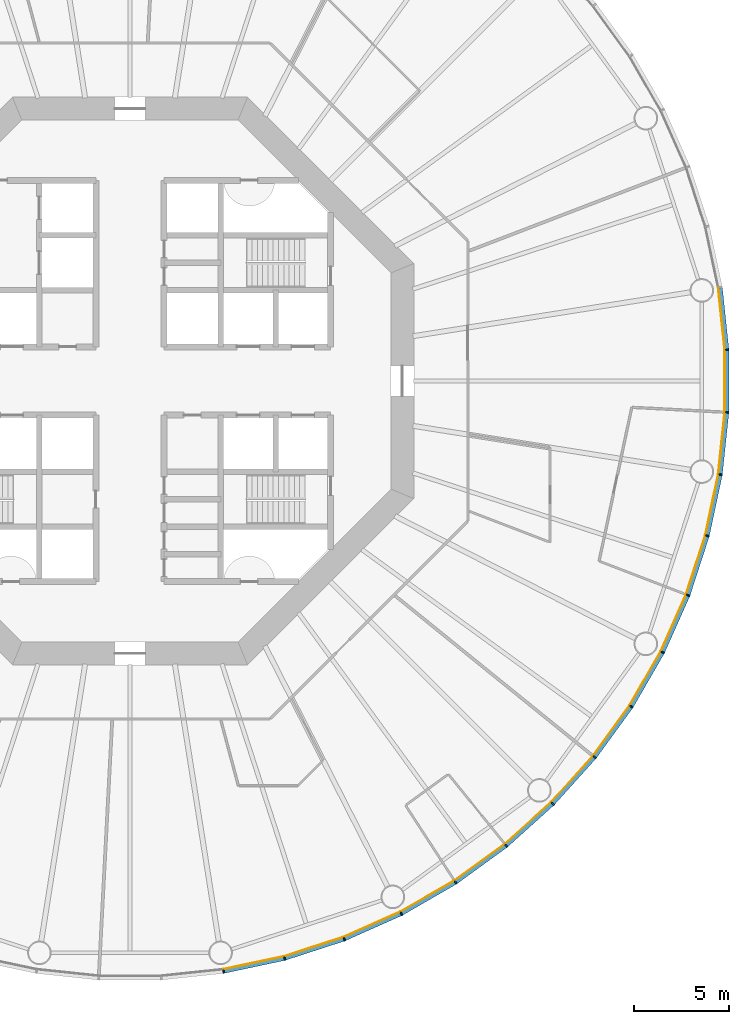
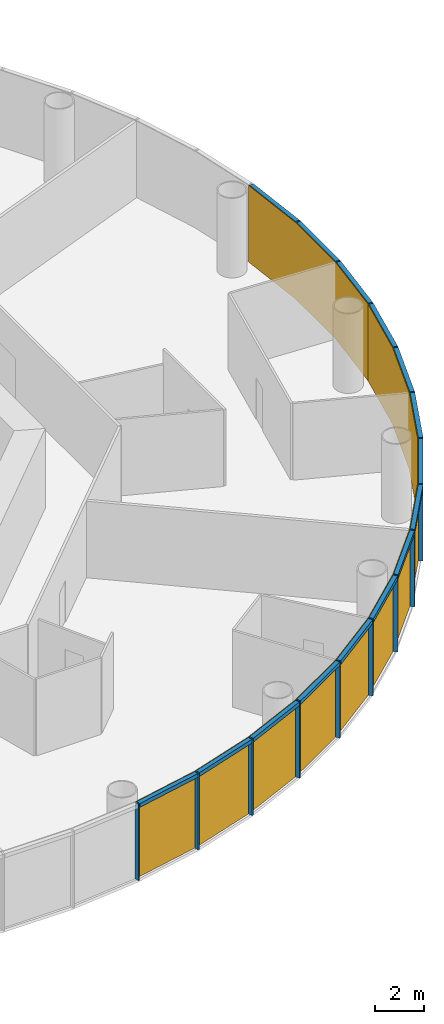
# One storey, part 9 of 13: 30 members, 5 curtain walls.
"""IFC4 building model written with IfcOpenShell, lengths in metres."""

from ifc_helpers import new_model, si_unit, direction, frame, origin, origin_2d, place, context, subcontext, project, spatial, polyline, rectangle, outline, extrude, material, layer, layer_set, material_profile, profile_set, type_object, element, aggregate, save


model = new_model("IFC4")

# Units and contexts
model_context = context("Model", 3, precision=1e-05, world=origin(), true_north=direction((0.0, 1.0)))
body_context = subcontext(model_context, "Body", "Model", "MODEL_VIEW")
ifc_project = project(units=[si_unit("LENGTHUNIT", "METRE"), si_unit("AREAUNIT", "SQUARE_METRE"), si_unit("VOLUMEUNIT", "CUBIC_METRE"), si_unit("PLANEANGLEUNIT", "RADIAN"), si_unit("MASSUNIT", "GRAM", prefix="KILO")], contexts=[model_context])

# Member
ifc_material_1 = material(Name="Anodised aluminium", Category="aluminium")
ifc_material_profile_1 = material_profile(ifc_material_1, rectangle(XDim=0.070068359375, YDim=0.199951171875, at=origin_2d()), Name="Mullion 70 x 200 mm anodised aluminium")
ifc_profile_set_1 = profile_set([ifc_material_profile_1], Name="Anodised aluminium")
member_type_1 = type_object("IfcMemberType", Name="Mullion 70 x 200 mm anodised aluminium", PredefinedType="MULLION", material=ifc_profile_set_1)
site_placement = place(None, origin())
building_placement = place(site_placement, origin())
storey_placement = place(building_placement, frame((0.0, 0.0, 88.0)))
member_1_placement = place(storey_placement, frame((94.943359375, 48.7890625, 0.0), z_axis=(0.0, 0.0, 1.0), x_axis=(0.987688340595, 0.15643446504, 0.0)))
member_1 = element("IfcMember", 1, at=member_1_placement, type_object=member_type_1, Name="MULLION L19-45", PredefinedType="MULLION", context=body_context, shape_type="SweptSolid", body=[
    extrude(rectangle(XDim=0.070068359375, YDim=0.199951171875, at=origin_2d()), origin(), (0.0, 0.0, 1.0), 3.85009765625),
])

member_2_placement = place(storey_placement, frame((98.1787109375, 49.476806640625, 0.0), z_axis=(0.0, 0.0, 1.0), x_axis=(0.965925826289, 0.258819045103, 0.0)))
member_2 = element("IfcMember", 2, at=member_2_placement, type_object=member_type_1, Name="MULLION L19-46", PredefinedType="MULLION", context=body_context, shape_type="SweptSolid", body=[
    extrude(rectangle(XDim=0.070068359375, YDim=0.199951171875, at=origin_2d()), origin(), (0.0, 0.0, 1.0), 3.85009765625),
])

member_3_placement = place(storey_placement, frame((101.324462890625, 50.498779296875, 0.0), z_axis=(0.0, 0.0, 1.0), x_axis=(0.933580426497, 0.358367949545, 0.0)))
member_3 = element("IfcMember", 3, at=member_3_placement, type_object=member_type_1, Name="MULLION L19-47", PredefinedType="MULLION", context=body_context, shape_type="SweptSolid", body=[
    extrude(rectangle(XDim=0.070068359375, YDim=0.199951171875, at=origin_2d()), origin(), (0.0, 0.0, 1.0), 3.85009765625),
])

member_4_placement = place(storey_placement, frame((104.34619140625, 51.84423828125, 0.0), z_axis=(0.0, 0.0, 1.0), x_axis=(0.891006524188, 0.45399049974, 0.0)))
member_4 = element("IfcMember", 4, at=member_4_placement, type_object=member_type_1, Name="MULLION L19-48", PredefinedType="MULLION", context=body_context, shape_type="SweptSolid", body=[
    extrude(rectangle(XDim=0.070068359375, YDim=0.199951171875, at=origin_2d()), origin(), (0.0, 0.0, 1.0), 3.85009765625),
])

member_5_placement = place(storey_placement, frame((107.210693359375, 53.498046875, 0.0), z_axis=(0.0, 0.0, 1.0), x_axis=(0.838670567945, 0.544639035015, 0.0)))
member_5 = element("IfcMember", 5, at=member_5_placement, type_object=member_type_1, Name="MULLION L19-49", PredefinedType="MULLION", context=body_context, shape_type="SweptSolid", body=[
    extrude(rectangle(XDim=0.070068359375, YDim=0.199951171875, at=origin_2d()), origin(), (0.0, 0.0, 1.0), 3.85009765625),
])

member_6_placement = place(storey_placement, frame((109.886474609375, 55.442138671875, 0.0), z_axis=(0.0, 0.0, 1.0), x_axis=(0.777145961457, 0.62932039105, 0.0)))
member_6 = element("IfcMember", 6, at=member_6_placement, type_object=member_type_1, Name="MULLION L19-50", PredefinedType="MULLION", context=body_context, shape_type="SweptSolid", body=[
    extrude(rectangle(XDim=0.070068359375, YDim=0.199951171875, at=origin_2d()), origin(), (0.0, 0.0, 1.0), 3.85009765625),
])

member_7_placement = place(storey_placement, frame((112.344482421875, 57.655517578125, 0.0), z_axis=(0.0, 0.0, 1.0), x_axis=(0.707106781187, 0.707106781187, 0.0)))
member_7 = element("IfcMember", 7, at=member_7_placement, type_object=member_type_1, Name="MULLION L19-51", PredefinedType="MULLION", context=body_context, shape_type="SweptSolid", body=[
    extrude(rectangle(XDim=0.070068359375, YDim=0.199951171875, at=origin_2d()), origin(), (0.0, 0.0, 1.0), 3.85009765625),
])

member_8_placement = place(storey_placement, frame((114.557861328125, 60.113525390625, 0.0), z_axis=(0.0, 0.0, 1.0), x_axis=(0.62932039105, 0.777145961457, 0.0)))
member_8 = element("IfcMember", 8, at=member_8_placement, type_object=member_type_1, Name="MULLION L19-52", PredefinedType="MULLION", context=body_context, shape_type="SweptSolid", body=[
    extrude(rectangle(XDim=0.070068359375, YDim=0.199951171875, at=origin_2d()), origin(), (0.0, 0.0, 1.0), 3.85009765625),
])

member_9_placement = place(storey_placement, frame((116.501953125, 62.789306640625, 0.0), z_axis=(0.0, 0.0, 1.0), x_axis=(0.544639035015, 0.838670567945, 0.0)))
member_9 = element("IfcMember", 9, at=member_9_placement, type_object=member_type_1, Name="MULLION L19-53", PredefinedType="MULLION", context=body_context, shape_type="SweptSolid", body=[
    extrude(rectangle(XDim=0.070068359375, YDim=0.199951171875, at=origin_2d()), origin(), (0.0, 0.0, 1.0), 3.85009765625),
])

member_10_placement = place(storey_placement, frame((118.15576171875, 65.65380859375, 0.0), z_axis=(0.0, 0.0, 1.0), x_axis=(0.45399049974, 0.891006524188, 0.0)))
member_10 = element("IfcMember", 10, at=member_10_placement, type_object=member_type_1, Name="MULLION L19-54", PredefinedType="MULLION", context=body_context, shape_type="SweptSolid", body=[
    extrude(rectangle(XDim=0.070068359375, YDim=0.199951171875, at=origin_2d()), origin(), (0.0, 0.0, 1.0), 3.85009765625),
])

member_11_placement = place(storey_placement, frame((119.501220703125, 68.675537109375, 0.0), z_axis=(0.0, 0.0, 1.0), x_axis=(0.358367949545, 0.933580426497, 0.0)))
member_11 = element("IfcMember", 11, at=member_11_placement, type_object=member_type_1, Name="MULLION L19-55", PredefinedType="MULLION", context=body_context, shape_type="SweptSolid", body=[
    extrude(rectangle(XDim=0.070068359375, YDim=0.199951171875, at=origin_2d()), origin(), (0.0, 0.0, 1.0), 3.85009765625),
])

member_12_placement = place(storey_placement, frame((120.523193359375, 71.8212890625, 0.0), z_axis=(0.0, 0.0, 1.0), x_axis=(0.258819045103, 0.965925826289, 0.0)))
member_12 = element("IfcMember", 12, at=member_12_placement, type_object=member_type_1, Name="MULLION L19-56", PredefinedType="MULLION", context=body_context, shape_type="SweptSolid", body=[
    extrude(rectangle(XDim=0.070068359375, YDim=0.199951171875, at=origin_2d()), origin(), (0.0, 0.0, 1.0), 3.85009765625),
])

member_13_placement = place(storey_placement, frame((121.2109375, 75.056640625, 0.0), z_axis=(0.0, 0.0, 1.0), x_axis=(0.15643446504, 0.987688340595, 0.0)))
member_13 = element("IfcMember", 13, at=member_13_placement, type_object=member_type_1, Name="MULLION L19-57", PredefinedType="MULLION", context=body_context, shape_type="SweptSolid", body=[
    extrude(rectangle(XDim=0.070068359375, YDim=0.199951171875, at=origin_2d()), origin(), (0.0, 0.0, 1.0), 3.85009765625),
])

member_14_placement = place(storey_placement, frame((121.556640625, 78.34619140625, 0.0), z_axis=(0.0, 0.0, 1.0), x_axis=(0.052335956243, 0.998629534755, 0.0)))
member_14 = element("IfcMember", 14, at=member_14_placement, type_object=member_type_1, Name="MULLION L19-58", PredefinedType="MULLION", context=body_context, shape_type="SweptSolid", body=[
    extrude(rectangle(XDim=0.070068359375, YDim=0.199951171875, at=origin_2d()), origin(), (0.0, 0.0, 1.0), 3.85009765625),
])

member_15_placement = place(storey_placement, frame((121.556640625, 81.65380859375, 0.0), z_axis=(0.0, 0.0, 1.0), x_axis=(-0.052335956243, 0.998629534755, 0.0)))
member_15 = element("IfcMember", 15, at=member_15_placement, type_object=member_type_1, Name="MULLION L19-59", PredefinedType="MULLION", context=body_context, shape_type="SweptSolid", body=[
    extrude(rectangle(XDim=0.070068359375, YDim=0.199951171875, at=origin_2d()), origin(), (0.0, 0.0, 1.0), 3.85009765625),
])

ifc_material_2 = material(Name="Anodised aluminium", Category="aluminium")
ifc_material_profile_2 = material_profile(ifc_material_2, rectangle(XDim=0.199951171875, YDim=0.18994140625, at=origin_2d()), Name="Transom 190 x 200 mm anodised aluminium")
ifc_profile_set_2 = profile_set([ifc_material_profile_2], Name="Anodised aluminium")
member_type_2 = type_object("IfcMemberType", Name="Transom 190 x 200 mm anodised aluminium", PredefinedType="USERDEFINED", material=ifc_profile_set_2)
member_16_placement = place(storey_placement, frame((94.982666015625, 48.79736328125, 3.7548828125), z_axis=(0.978153082647, 0.207885898771, 0.0), x_axis=(-0.207885898771, 0.978153082647, 0.0)))
member_16 = element("IfcMember", 16, at=member_16_placement, type_object=member_type_2, Name="TRANSOM L19-45", ObjectType="TRANSOM", PredefinedType="USERDEFINED", context=body_context, shape_type="SweptSolid", body=[
    extrude(rectangle(XDim=0.199951171875, YDim=0.18994140625, at=origin_2d()), origin(), (0.0, 0.0, 1.0), 3.227294921875),
])

member_17_placement = place(storey_placement, frame((98.217041015625, 49.489013671875, 3.7548828125), z_axis=(0.951046855117, 0.309046726844, 0.0), x_axis=(-0.309046726844, 0.951046855117, 0.0)))
member_17 = element("IfcMember", 17, at=member_17_placement, type_object=member_type_2, Name="TRANSOM L19-46", ObjectType="TRANSOM", PredefinedType="USERDEFINED", context=body_context, shape_type="SweptSolid", body=[
    extrude(rectangle(XDim=0.199951171875, YDim=0.18994140625, at=origin_2d()), origin(), (0.0, 0.0, 1.0), 3.22705078125),
])

member_18_placement = place(storey_placement, frame((101.361328125, 50.51513671875, 3.7548828125), z_axis=(0.913549291349, 0.406728032322, 0.0), x_axis=(-0.406728032322, 0.913549291349, 0.0)))
member_18 = element("IfcMember", 18, at=member_18_placement, type_object=member_type_2, Name="TRANSOM L19-47", ObjectType="TRANSOM", PredefinedType="USERDEFINED", context=body_context, shape_type="SweptSolid", body=[
    extrude(rectangle(XDim=0.199951171875, YDim=0.18994140625, at=origin_2d()), origin(), (0.0, 0.0, 1.0), 3.22705078125),
])

member_19_placement = place(storey_placement, frame((104.381103515625, 51.8642578125, 3.7548828125), z_axis=(0.866023062494, 0.500004055213, 0.0), x_axis=(-0.500004055213, 0.866023062494, 0.0)))
member_19 = element("IfcMember", 19, at=member_19_placement, type_object=member_type_2, Name="TRANSOM L19-48", ObjectType="TRANSOM", PredefinedType="USERDEFINED", context=body_context, shape_type="SweptSolid", body=[
    extrude(rectangle(XDim=0.199951171875, YDim=0.18994140625, at=origin_2d()), origin(), (0.0, 0.0, 1.0), 3.22705078125),
])

member_20_placement = place(storey_placement, frame((107.2431640625, 53.521484375, 3.7548828125), z_axis=(0.809004252048, 0.587802790201, 0.0), x_axis=(-0.587802790201, 0.809004252048, 0.0)))
member_20 = element("IfcMember", 20, at=member_20_placement, type_object=member_type_2, Name="TRANSOM L19-49", ObjectType="TRANSOM", PredefinedType="USERDEFINED", context=body_context, shape_type="SweptSolid", body=[
    extrude(rectangle(XDim=0.199951171875, YDim=0.18994140625, at=origin_2d()), origin(), (0.0, 0.0, 1.0), 3.227294921875),
])

member_21_placement = place(storey_placement, frame((109.91650390625, 55.468994140625, 3.7548828125), z_axis=(0.743132370743, 0.669144438484, 0.0), x_axis=(-0.669144438484, 0.743132370743, 0.0)))
member_21 = element("IfcMember", 21, at=member_21_placement, type_object=member_type_2, Name="TRANSOM L19-50", ObjectType="TRANSOM", PredefinedType="USERDEFINED", context=body_context, shape_type="SweptSolid", body=[
    extrude(rectangle(XDim=0.199951171875, YDim=0.18994140625, at=origin_2d()), origin(), (0.0, 0.0, 1.0), 3.22705078125),
])

member_22_placement = place(storey_placement, frame((112.37158203125, 57.685302734375, 3.7548828125), z_axis=(0.669144438484, 0.743132370743, 0.0), x_axis=(-0.743132370743, 0.669144438484, 0.0)))
member_22 = element("IfcMember", 22, at=member_22_placement, type_object=member_type_2, Name="TRANSOM L19-51", ObjectType="TRANSOM", PredefinedType="USERDEFINED", context=body_context, shape_type="SweptSolid", body=[
    extrude(rectangle(XDim=0.199951171875, YDim=0.18994140625, at=origin_2d()), origin(), (0.0, 0.0, 1.0), 3.22705078125),
])

member_23_placement = place(storey_placement, frame((114.58154296875, 60.14599609375, 3.7548828125), z_axis=(0.587802790201, 0.809004252048, 0.0), x_axis=(-0.809004252048, 0.587802790201, 0.0)))
member_23 = element("IfcMember", 23, at=member_23_placement, type_object=member_type_2, Name="TRANSOM L19-52", ObjectType="TRANSOM", PredefinedType="USERDEFINED", context=body_context, shape_type="SweptSolid", body=[
    extrude(rectangle(XDim=0.199951171875, YDim=0.18994140625, at=origin_2d()), origin(), (0.0, 0.0, 1.0), 3.227294921875),
])

member_24_placement = place(storey_placement, frame((116.522216796875, 62.82421875, 3.7548828125), z_axis=(0.500004055213, 0.866023062494, 0.0), x_axis=(-0.866023062494, 0.500004055213, 0.0)))
member_24 = element("IfcMember", 24, at=member_24_placement, type_object=member_type_2, Name="TRANSOM L19-53", ObjectType="TRANSOM", PredefinedType="USERDEFINED", context=body_context, shape_type="SweptSolid", body=[
    extrude(rectangle(XDim=0.199951171875, YDim=0.18994140625, at=origin_2d()), origin(), (0.0, 0.0, 1.0), 3.22705078125),
])

member_25_placement = place(storey_placement, frame((118.17236328125, 65.690673828125, 3.7548828125), z_axis=(0.406728032322, 0.913549291349, 0.0), x_axis=(-0.913549291349, 0.406728032322, 0.0)))
member_25 = element("IfcMember", 25, at=member_25_placement, type_object=member_type_2, Name="TRANSOM L19-54", ObjectType="TRANSOM", PredefinedType="USERDEFINED", context=body_context, shape_type="SweptSolid", body=[
    extrude(rectangle(XDim=0.199951171875, YDim=0.18994140625, at=origin_2d()), origin(), (0.0, 0.0, 1.0), 3.22705078125),
])

member_26_placement = place(storey_placement, frame((119.513671875, 68.7138671875, 3.7548828125), z_axis=(0.309046726844, 0.951046855117, 0.0), x_axis=(-0.951046855117, 0.309046726844, 0.0)))
member_26 = element("IfcMember", 26, at=member_26_placement, type_object=member_type_2, Name="TRANSOM L19-55", ObjectType="TRANSOM", PredefinedType="USERDEFINED", context=body_context, shape_type="SweptSolid", body=[
    extrude(rectangle(XDim=0.199951171875, YDim=0.18994140625, at=origin_2d()), origin(), (0.0, 0.0, 1.0), 3.22705078125),
])

member_27_placement = place(storey_placement, frame((120.53173828125, 71.860595703125, 3.7548828125), z_axis=(0.207885898771, 0.978153082647, 0.0), x_axis=(-0.978153082647, 0.207885898771, 0.0)))
member_27 = element("IfcMember", 27, at=member_27_placement, type_object=member_type_2, Name="TRANSOM L19-56", ObjectType="TRANSOM", PredefinedType="USERDEFINED", context=body_context, shape_type="SweptSolid", body=[
    extrude(rectangle(XDim=0.199951171875, YDim=0.18994140625, at=origin_2d()), origin(), (0.0, 0.0, 1.0), 3.227294921875),
])

member_28_placement = place(storey_placement, frame((121.21533203125, 75.0966796875, 3.7548828125), z_axis=(0.104550890115, 0.994519537956, 0.0), x_axis=(-0.994519537956, 0.104550890115, 0.0)))
member_28 = element("IfcMember", 28, at=member_28_placement, type_object=member_type_2, Name="TRANSOM L19-57", ObjectType="TRANSOM", PredefinedType="USERDEFINED", context=body_context, shape_type="SweptSolid", body=[
    extrude(rectangle(XDim=0.199951171875, YDim=0.18994140625, at=origin_2d()), origin(), (0.0, 0.0, 1.0), 3.22705078125),
])

member_29_placement = place(storey_placement, frame((121.556884765625, 78.386474609375, 3.7548828125), z_axis=(0.0, 1.0, 0.0), x_axis=(-1.0, 0.0, 0.0)))
member_29 = element("IfcMember", 29, at=member_29_placement, type_object=member_type_2, Name="TRANSOM L19-58", ObjectType="TRANSOM", PredefinedType="USERDEFINED", context=body_context, shape_type="SweptSolid", body=[
    extrude(rectangle(XDim=0.199951171875, YDim=0.18994140625, at=origin_2d()), origin(), (0.0, 0.0, 1.0), 3.22705078125),
])

member_30_placement = place(storey_placement, frame((121.552734375, 81.69384765625, 3.7548828125), z_axis=(-0.104550890115, 0.994519537956, 0.0), x_axis=(-0.994519537956, -0.104550890115, 0.0)))
member_30 = element("IfcMember", 30, at=member_30_placement, type_object=member_type_2, Name="TRANSOM L19-59", ObjectType="TRANSOM", PredefinedType="USERDEFINED", context=body_context, shape_type="SweptSolid", body=[
    extrude(rectangle(XDim=0.199951171875, YDim=0.18994140625, at=origin_2d()), origin(), (0.0, 0.0, 1.0), 3.22705078125),
])

# Site, building, storey
site = spatial("IfcSite", under=ifc_project, at=site_placement, CompositionType="ELEMENT")
building = spatial("IfcBuilding", under=site, at=building_placement, Name="Entoto Ring Tower", CompositionType="ELEMENT")
storey = spatial("IfcBuildingStorey", under=building, at=storey_placement, Name="L19", CompositionType="ELEMENT", Elevation=88.0)

# Curtain wall
ifc_material_3 = material(Name="Clear low-iron glass", Category="glass")
ifc_layer = layer(ifc_material_3, 0.035888671875)
ifc_layer_set = layer_set([ifc_layer], Name="Clear low-iron glass")
curtain_wall_type = type_object("IfcCurtainWallType", Name="Curtain wall system CW2 glazing 36 mm", PredefinedType="NOTDEFINED", material=ifc_layer_set)
curtain_wall_1_placement = place(storey_placement, origin())
curtain_wall_1 = element("IfcCurtainWall", 31, at=curtain_wall_1_placement, inside=storey, type_object=curtain_wall_type, Name="CW2 L19-16", PredefinedType="NOTDEFINED", context=body_context, shape_type="SweptSolid", body=[
    extrude(outline(polyline([(94.927734375, 48.8876953125), (98.15283203125, 49.5732421875), (101.28857421875, 50.59228515625), (104.30078125, 51.933349609375), (104.284423828125, 51.96533203125), (101.275634765625, 50.6259765625), (98.1435546875, 49.608154296875), (94.922119140625, 48.92333984375), (94.927734375, 48.8876953125)])), origin(), (0.0, 0.0, 1.0), 3.85009765625),
])

aggregate(curtain_wall_1, [member_1, member_2, member_3, member_16, member_17, member_18])

curtain_wall_2_placement = place(storey_placement, origin())
curtain_wall_2 = element("IfcCurtainWall", 32, at=curtain_wall_2_placement, inside=storey, type_object=curtain_wall_type, Name="CW2 L19-17", PredefinedType="NOTDEFINED", context=body_context, shape_type="SweptSolid", body=[
    extrude(outline(polyline([(104.30078125, 51.933349609375), (107.15625, 53.581787109375), (109.823486328125, 55.52001953125), (112.27392578125, 57.72607421875), (112.248291015625, 57.751708984375), (109.801025390625, 55.5478515625), (107.136474609375, 53.612060546875), (104.284423828125, 51.96533203125), (104.30078125, 51.933349609375)])), origin(), (0.0, 0.0, 1.0), 3.85009765625),
])

aggregate(curtain_wall_2, [member_4, member_5, member_6, member_19, member_20, member_21])

curtain_wall_3_placement = place(storey_placement, origin())
curtain_wall_3 = element("IfcCurtainWall", 33, at=curtain_wall_3_placement, inside=storey, type_object=curtain_wall_type, Name="CW2 L19-18", PredefinedType="NOTDEFINED", context=body_context, shape_type="SweptSolid", body=[
    extrude(outline(polyline([(112.27392578125, 57.72607421875), (114.47998046875, 60.176513671875), (116.418212890625, 62.84375), (118.066650390625, 65.69921875), (118.03466796875, 65.715576171875), (116.387939453125, 62.863525390625), (114.4521484375, 60.198974609375), (112.248291015625, 57.751708984375), (112.27392578125, 57.72607421875)])), origin(), (0.0, 0.0, 1.0), 3.85009765625),
])

aggregate(curtain_wall_3, [member_7, member_8, member_9, member_22, member_23, member_24])

curtain_wall_4_placement = place(storey_placement, origin())
curtain_wall_4 = element("IfcCurtainWall", 34, at=curtain_wall_4_placement, inside=storey, type_object=curtain_wall_type, Name="CW2 L19-19", PredefinedType="NOTDEFINED", context=body_context, shape_type="SweptSolid", body=[
    extrude(outline(polyline([(118.066650390625, 65.69921875), (119.40771484375, 68.71142578125), (120.4267578125, 71.84716796875), (121.1123046875, 75.072265625), (121.07666015625, 75.077880859375), (120.391845703125, 71.8564453125), (119.3740234375, 68.724365234375), (118.03466796875, 65.715576171875), (118.066650390625, 65.69921875)])), origin(), (0.0, 0.0, 1.0), 3.85009765625),
])

aggregate(curtain_wall_4, [member_10, member_11, member_12, member_25, member_26, member_27])

curtain_wall_5_placement = place(storey_placement, origin())
curtain_wall_5 = element("IfcCurtainWall", 35, at=curtain_wall_5_placement, inside=storey, type_object=curtain_wall_type, Name="CW2 L19-20", PredefinedType="NOTDEFINED", context=body_context, shape_type="SweptSolid", body=[
    extrude(outline(polyline([(121.1123046875, 75.072265625), (121.456787109375, 78.351318359375), (121.456787109375, 81.648681640625), (121.1123046875, 84.927734375), (121.07666015625, 84.922119140625), (121.4208984375, 81.646728515625), (121.4208984375, 78.353271484375), (121.07666015625, 75.077880859375), (121.1123046875, 75.072265625)])), origin(), (0.0, 0.0, 1.0), 3.85009765625),
])

aggregate(curtain_wall_5, [member_13, member_14, member_15, member_28, member_29, member_30])

save(model, "model.ifc")
